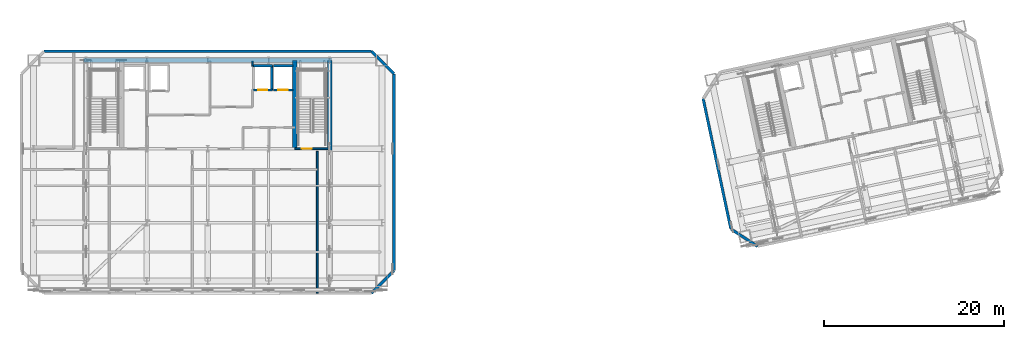
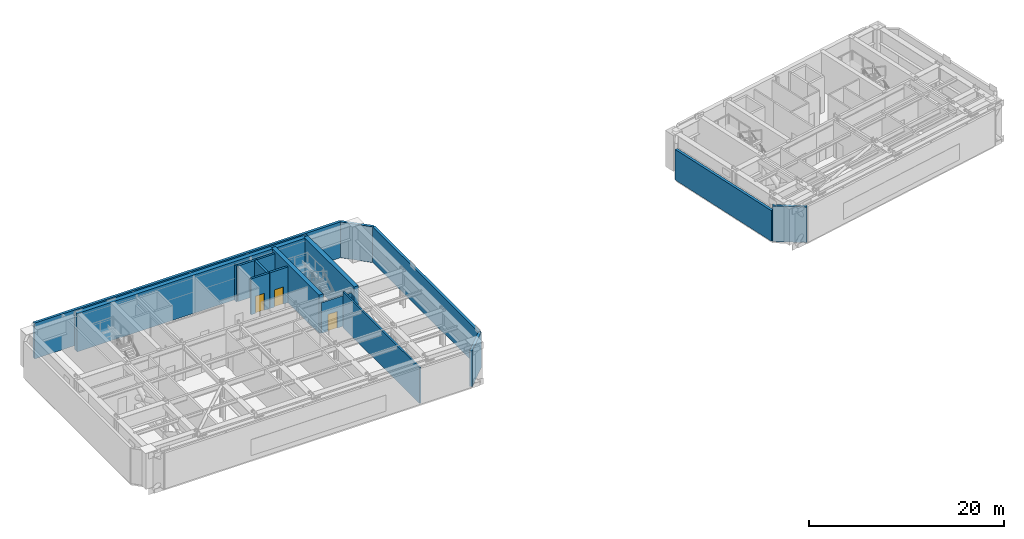
# One storey, part 9 of 15: 17 walls, 3 doors, 3 openings.
"""IFC4 building model written with IfcOpenShell, lengths in metres."""

from ifc_helpers import new_model, si_unit, direction, frame, frame_2d, origin, place, context, subcontext, project, spatial, rectangle, extrude, material, layer, layer_set, type_object, element, fill, save


model = new_model("IFC4")

# Units and contexts
model_context = context("Model", 3, precision=1e-05, world=origin(), true_north=direction((0.0, 1.0)))
body_context = subcontext(model_context, "Body", "Model", "MODEL_VIEW")
ifc_project = project(units=[si_unit("LENGTHUNIT", "METRE"), si_unit("AREAUNIT", "SQUARE_METRE"), si_unit("VOLUMEUNIT", "CUBIC_METRE"), si_unit("PLANEANGLEUNIT", "RADIAN"), si_unit("MASSUNIT", "GRAM", prefix="KILO")], contexts=[model_context])

# Site, building, storey
site_placement = place(None, origin())
site = spatial("IfcSite", under=ifc_project, at=site_placement, CompositionType="ELEMENT")
building_placement = place(site_placement, origin())
building = spatial("IfcBuilding", under=site, at=building_placement, Name="Haevon Station Towers", CompositionType="ELEMENT")
storey_placement = place(building_placement, frame((0.0, 0.0, 192.300048828125)))
storey = spatial("IfcBuildingStorey", under=building, at=storey_placement, Name="L53", CompositionType="ELEMENT", Elevation=192.300048828125)

# Wall, opening, door
ifc_material_1 = material(Name="Gypsum board on steel stud", Category="steel")
ifc_layer_1 = layer(ifc_material_1, 0.199951171875)
ifc_layer_set_1 = layer_set([ifc_layer_1], Name="Gypsum board on steel stud")
wall_type_1 = type_object("IfcWallType", Name="WL-COR200", PredefinedType="PARTITIONING", material=ifc_layer_set_1)
wall_1_placement = place(storey_placement, frame((47.14990234375, 38.199951171875, 0.0), z_axis=(0.0, 0.0, 1.0), x_axis=(1.0, 0.0, 0.0)))
wall_1 = element("IfcWall", 1, at=wall_1_placement, inside=storey, type_object=wall_type_1, Name="WL-ST-ST2-L53", PredefinedType="PARTITIONING", context=body_context, shape_type="SweptSolid", body=[
    extrude(rectangle(XDim=3.85009765625, YDim=0.199951171875, at=frame_2d((1.925048828125, 0.0))), origin(), (0.0, 0.0, 1.0), 3.829833984375),
])
opening_1_placement = place(wall_1_placement, frame((0.75, 0.0, 0.0)))
opening_1 = element("IfcOpeningElement", 2, at=opening_1_placement, cuts=wall_1, Name="Opening DR-ST-ST2-L53", PredefinedType="OPENING", context=body_context, shape_type="SweptSolid", body=[
    extrude(rectangle(XDim=1.1201171875, YDim=2.10009765625, at=frame_2d((0.56005859375, 1.050048828125))), frame((0.0, 0.10986328125, 0.0), z_axis=(0.0, -1.0, 0.0), x_axis=(1.0, 0.0, 0.0)), (0.0, 0.0, 1.0), 0.219970703125),
])
ifc_material_2 = material(Name="Engineered oak timber", Category="wood")
door_type_1 = type_object("IfcDoorType", Name="DR-ST-1120", OperationType="NOTDEFINED", PredefinedType="DOOR", material=ifc_material_2)
door_1_placement = place(opening_1_placement, origin())
door_1 = element("IfcDoor", 3, at=door_1_placement, inside=storey, type_object=door_type_1, Name="L53 Escape Stair ST2 Fire Door", OperationType="SINGLE_SWING_LEFT", OverallHeight=2.10009765625, OverallWidth=1.1201171875, PredefinedType="DOOR", context=body_context, shape_type="SweptSolid", body=[
    extrude(rectangle(XDim=1.1201171875, YDim=2.10009765625, at=frame_2d((0.56005859375, 1.050048828125))), frame((0.0, 0.02490234375, 0.0), z_axis=(0.0, -1.0, 0.0), x_axis=(1.0, 0.0, 0.0)), (0.0, 0.0, 1.0), 0.050048828125),
])
fill(opening_1, door_1)

# Walls
wall_2_placement = place(storey_placement, frame((49.64990234375, 22.199951171875, 0.0), z_axis=(0.0, 0.0, 1.0), x_axis=(0.0, 1.0, 0.0)))
element("IfcWall", 4, at=wall_2_placement, inside=storey, type_object=wall_type_1, Name="WL-T1PT-L53-08", PredefinedType="PARTITIONING", context=body_context, shape_type="SweptSolid", body=[
    extrude(rectangle(XDim=15.699951171875, YDim=0.199951171875, at=frame_2d((7.85009765625, 0.0))), origin(), (0.0, 0.0, 1.0), 4.47998046875),
])
ifc_material_3 = material(Name="Concrete C60/75", Category="concrete")
ifc_layer_2 = layer(ifc_material_3, 0.5)
ifc_layer_set_2 = layer_set([ifc_layer_2], Name="Concrete C60/75")
wall_type_2 = type_object("IfcWallType", Name="WL-CR500", PredefinedType="SHEAR", material=ifc_layer_set_2)
wall_3_placement = place(storey_placement, frame((23.75, 48.0, 0.0), z_axis=(0.0, 0.0, 1.0), x_axis=(1.0, 0.0, 0.0)))
element("IfcWall", 5, at=wall_3_placement, inside=storey, type_object=wall_type_2, Name="WL-T1CR-L53-N", PredefinedType="SHEAR", context=body_context, shape_type="SweptSolid", body=[
    extrude(rectangle(XDim=27.5, YDim=0.5, at=frame_2d((13.75, 0.0))), origin(), (0.0, 0.0, 1.0), 4.800048828125),
])
wall_4_placement = place(storey_placement, frame((51.0, 37.679931640625, 0.0), z_axis=(0.0, 0.0, 1.0), x_axis=(0.0, 1.0, 0.0)))
element("IfcWall", 6, at=wall_4_placement, inside=storey, type_object=wall_type_2, Name="WL-T1CR-L53-E", PredefinedType="SHEAR", context=body_context, shape_type="SweptSolid", body=[
    extrude(rectangle(XDim=10.320068359375, YDim=0.5, at=frame_2d((5.16015625, 0.0))), origin(), (0.0, 0.0, 1.0), 4.800048828125),
])
wall_5_placement = place(storey_placement, frame((47.14990234375, 38.199951171875, 0.0), z_axis=(0.0, 0.0, 1.0), x_axis=(0.0, 1.0, 0.0)))
element("IfcWall", 7, at=wall_5_placement, inside=storey, type_object=wall_type_2, Name="WL-T1CR-L53-M2", PredefinedType="SHEAR", context=body_context, shape_type="SweptSolid", body=[
    extrude(rectangle(XDim=9.800048828125, YDim=0.5, at=frame_2d((4.89990234375, 0.0))), origin(), (0.0, 0.0, 1.0), 4.800048828125),
])
ifc_material_4 = material(Name="Precast concrete C45/55", Category="concrete")
ifc_layer_3 = layer(ifc_material_4, 0.300048828125)
ifc_layer_set_3 = layer_set([ifc_layer_3], Name="Precast concrete C45/55")
wall_type_3 = type_object("IfcWallType", Name="WL-EXT-PIER300", PredefinedType="SOLIDWALL", material=ifc_layer_set_3)
wall_6_placement = place(storey_placement, frame((19.35009765625, 49.0, 0.0), z_axis=(0.0, 0.0, 1.0), x_axis=(1.0, 0.0, 0.0)))
element("IfcWall", 8, at=wall_6_placement, inside=storey, type_object=wall_type_3, Name="WL-T1-L53-N", PredefinedType="SOLIDWALL", context=body_context, shape_type="SweptSolid", body=[
    extrude(rectangle(XDim=36.2998046875, YDim=0.300048828125, at=frame_2d((18.14990234375, 0.0))), origin(), (0.0, 0.0, 1.0), 4.47998046875),
])
wall_7_placement = place(storey_placement, frame((55.64990234375, 49.0, 0.0), z_axis=(0.0, 0.0, 1.0), x_axis=(0.707106781187, -0.707106781187, 0.0)))
element("IfcWall", 9, at=wall_7_placement, inside=storey, type_object=wall_type_3, Name="WL-T1-L53-NEC", PredefinedType="SOLIDWALL", context=body_context, shape_type="SweptSolid", body=[
    extrude(rectangle(XDim=3.53564453125, YDim=0.300048828125, at=frame_2d((1.767822265625, 0.0))), origin(), (0.0, 0.0, 1.0), 4.47998046875),
])
wall_8_placement = place(storey_placement, frame((58.14990234375, 46.5, 0.0), z_axis=(0.0, 0.0, 1.0), x_axis=(0.0, -1.0, 0.0)))
element("IfcWall", 10, at=wall_8_placement, inside=storey, type_object=wall_type_3, Name="WL-T1-L53-E", PredefinedType="SOLIDWALL", context=body_context, shape_type="SweptSolid", body=[
    extrude(rectangle(XDim=21.800048828125, YDim=0.300048828125, at=frame_2d((10.89990234375, 0.0))), origin(), (0.0, 0.0, 1.0), 4.47998046875),
])
wall_9_placement = place(storey_placement, frame((58.14990234375, 24.699951171875, 0.0), z_axis=(0.0, 0.0, 1.0), x_axis=(-0.707106781187, -0.707106781187, 0.0)))
element("IfcWall", 11, at=wall_9_placement, inside=storey, type_object=wall_type_3, Name="WL-T1-L53-SEC", PredefinedType="SOLIDWALL", context=body_context, shape_type="SweptSolid", body=[
    extrude(rectangle(XDim=3.53564453125, YDim=0.300048828125, at=frame_2d((1.767822265625, 0.0))), origin(), (0.0, 0.0, 1.0), 4.47998046875),
])
wall_10_placement = place(storey_placement, frame((98.43603515625, 27.386962890625, 0.0), z_axis=(0.0, 0.0, 1.0), x_axis=(-0.838672309694, 0.544636352948, 0.0)))
element("IfcWall", 12, at=wall_10_placement, inside=storey, type_object=wall_type_3, Name="WL-T2-L53-SWC", PredefinedType="SOLIDWALL", context=body_context, shape_type="SweptSolid", body=[
    extrude(rectangle(XDim=3.535400390625, YDim=0.300048828125, at=frame_2d((1.767578125, 0.0))), origin(), (0.0, 0.0, 1.0), 4.47998046875),
])
wall_11_placement = place(storey_placement, frame((95.470947265625, 29.3125, 0.0), z_axis=(0.0, 0.0, 1.0), x_axis=(-0.207907783045, 0.978148431348, 0.0)))
element("IfcWall", 13, at=wall_11_placement, inside=storey, type_object=wall_type_3, Name="WL-T2-L53-W", PredefinedType="SOLIDWALL", context=body_context, shape_type="SweptSolid", body=[
    extrude(rectangle(XDim=14.77001953125, YDim=0.300048828125, at=frame_2d((7.385009765625, 0.0))), origin(), (0.0, 0.0, 1.0), 3.829833984375),
])
ifc_layer_4 = layer(ifc_material_1, 0.159912109375)
ifc_layer_set_4 = layer_set([ifc_layer_4], Name="Gypsum board on steel stud")
wall_type_4 = type_object("IfcWallType", Name="WL-PRT160", PredefinedType="PARTITIONING", material=ifc_layer_set_4)
wall_12_placement = place(storey_placement, frame((42.449951171875, 47.35009765625, 0.0), z_axis=(0.0, 0.0, 1.0), x_axis=(0.0, 1.0, 0.0)))
element("IfcWall", 14, at=wall_12_placement, inside=storey, type_object=wall_type_4, Name="WL-T1CW-L53-05", PredefinedType="PARTITIONING", context=body_context, shape_type="SweptSolid", body=[
    extrude(rectangle(XDim=0.5498046875, YDim=0.159912109375, at=frame_2d((0.27490234375, 0.0))), origin(), (0.0, 0.0, 1.0), 4.47998046875),
])

# Wall, opening, door
ifc_material_5 = material(Name="Concrete C40/50", Category="concrete")
ifc_layer_5 = layer(ifc_material_5, 0.239990234375)
ifc_layer_set_5 = layer_set([ifc_layer_5], Name="Concrete C40/50")
wall_type_5 = type_object("IfcWallType", Name="WL-SHF240", PredefinedType="PARTITIONING", material=ifc_layer_set_5)
wall_13_placement = place(storey_placement, frame((42.52001953125, 44.699951171875, 0.0), z_axis=(0.0, 0.0, 1.0), x_axis=(1.0, 0.0, 0.0)))
wall_13 = element("IfcWall", 15, at=wall_13_placement, inside=storey, type_object=wall_type_5, Name="WL-SHF-PL5-L53", PredefinedType="PARTITIONING", context=body_context, shape_type="SweptSolid", body=[
    extrude(rectangle(XDim=2.159912109375, YDim=0.239990234375, at=frame_2d((1.080078125, 0.0))), origin(), (0.0, 0.0, 1.0), 4.47998046875),
])
opening_2_placement = place(wall_13_placement, frame((0.554931640625, 0.0, 0.0)))
opening_2 = element("IfcOpeningElement", 16, at=opening_2_placement, cuts=wall_13, Name="Opening LD-PL5-L53", PredefinedType="OPENING", context=body_context, shape_type="SweptSolid", body=[
    extrude(rectangle(XDim=1.050048828125, YDim=2.14990234375, at=frame_2d((0.52490234375, 1.074951171875))), frame((0.0, 0.1298828125, 0.0), z_axis=(0.0, -1.0, 0.0), x_axis=(1.0, 0.0, 0.0)), (0.0, 0.0, 1.0), 0.260009765625),
])
ifc_material_6 = material(Name="Stainless steel and rated core", Category="steel")
door_type_2 = type_object("IfcDoorType", Name="LD-PL1050", OperationType="SLIDING_TO_LEFT", PredefinedType="DOOR", material=ifc_material_6)
door_2_placement = place(opening_2_placement, origin())
door_2 = element("IfcDoor", 17, at=door_2_placement, inside=storey, type_object=door_type_2, Name="L53 Lift PL5 Sliding Landing Door", OperationType="SLIDING_TO_LEFT", OverallHeight=2.14990234375, OverallWidth=1.050048828125, PredefinedType="DOOR", context=body_context, shape_type="SweptSolid", body=[
    extrude(rectangle(XDim=1.050048828125, YDim=2.14990234375, at=frame_2d((0.52490234375, 1.074951171875))), frame((0.0, 0.02490234375, 0.0), z_axis=(0.0, -1.0, 0.0), x_axis=(1.0, 0.0, 0.0)), (0.0, 0.0, 1.0), 0.050048828125),
])
fill(opening_2, door_2)

# Walls
wall_14_placement = place(storey_placement, frame((42.52001953125, 47.39990234375, 0.0), z_axis=(0.0, 0.0, 1.0), x_axis=(1.0, 0.0, 0.0)))
element("IfcWall", 18, at=wall_14_placement, inside=storey, type_object=wall_type_5, Name="WL-SHF-PL5-L53-N", PredefinedType="PARTITIONING", context=body_context, shape_type="SweptSolid", body=[
    extrude(rectangle(XDim=2.159912109375, YDim=0.239990234375, at=frame_2d((1.080078125, 0.0))), origin(), (0.0, 0.0, 1.0), 4.47998046875),
])
wall_15_placement = place(storey_placement, frame((44.60009765625, 44.699951171875, 0.0), z_axis=(0.0, 0.0, 1.0), x_axis=(0.0, 1.0, 0.0)))
element("IfcWall", 19, at=wall_15_placement, inside=storey, type_object=wall_type_5, Name="WL-SHF-PL5-L53-E", PredefinedType="PARTITIONING", context=body_context, shape_type="SweptSolid", body=[
    extrude(rectangle(XDim=2.699951171875, YDim=0.239990234375, at=frame_2d((1.35009765625, 0.0))), origin(), (0.0, 0.0, 1.0), 4.47998046875),
])

# Wall, opening, door
wall_16_placement = place(storey_placement, frame((44.77001953125, 44.699951171875, 0.0), z_axis=(0.0, 0.0, 1.0), x_axis=(1.0, 0.0, 0.0)))
wall_16 = element("IfcWall", 20, at=wall_16_placement, inside=storey, type_object=wall_type_5, Name="WL-SHF-PL6-L53", PredefinedType="PARTITIONING", context=body_context, shape_type="SweptSolid", body=[
    extrude(rectangle(XDim=2.159912109375, YDim=0.239990234375, at=frame_2d((1.080078125, 0.0))), origin(), (0.0, 0.0, 1.0), 4.47998046875),
])
opening_3_placement = place(wall_16_placement, frame((0.554931640625, 0.0, 0.0)))
opening_3 = element("IfcOpeningElement", 21, at=opening_3_placement, cuts=wall_16, Name="Opening LD-PL6-L53", PredefinedType="OPENING", context=body_context, shape_type="SweptSolid", body=[
    extrude(rectangle(XDim=1.050048828125, YDim=2.14990234375, at=frame_2d((0.52490234375, 1.074951171875))), frame((0.0, 0.1298828125, 0.0), z_axis=(0.0, -1.0, 0.0), x_axis=(1.0, 0.0, 0.0)), (0.0, 0.0, 1.0), 0.260009765625),
])
door_3_placement = place(opening_3_placement, origin())
door_3 = element("IfcDoor", 22, at=door_3_placement, inside=storey, type_object=door_type_2, Name="L53 Lift PL6 Sliding Landing Door", OperationType="SLIDING_TO_LEFT", OverallHeight=2.14990234375, OverallWidth=1.050048828125, PredefinedType="DOOR", context=body_context, shape_type="SweptSolid", body=[
    extrude(rectangle(XDim=1.050048828125, YDim=2.14990234375, at=frame_2d((0.52490234375, 1.074951171875))), frame((0.0, 0.02490234375, 0.0), z_axis=(0.0, -1.0, 0.0), x_axis=(1.0, 0.0, 0.0)), (0.0, 0.0, 1.0), 0.050048828125),
])
fill(opening_3, door_3)

# Wall
wall_17_placement = place(storey_placement, frame((44.77001953125, 47.39990234375, 0.0), z_axis=(0.0, 0.0, 1.0), x_axis=(1.0, 0.0, 0.0)))
element("IfcWall", 23, at=wall_17_placement, inside=storey, type_object=wall_type_5, Name="WL-SHF-PL6-L53-N", PredefinedType="PARTITIONING", context=body_context, shape_type="SweptSolid", body=[
    extrude(rectangle(XDim=2.159912109375, YDim=0.239990234375, at=frame_2d((1.080078125, 0.0))), origin(), (0.0, 0.0, 1.0), 4.47998046875),
])

save(model, "model.ifc")
